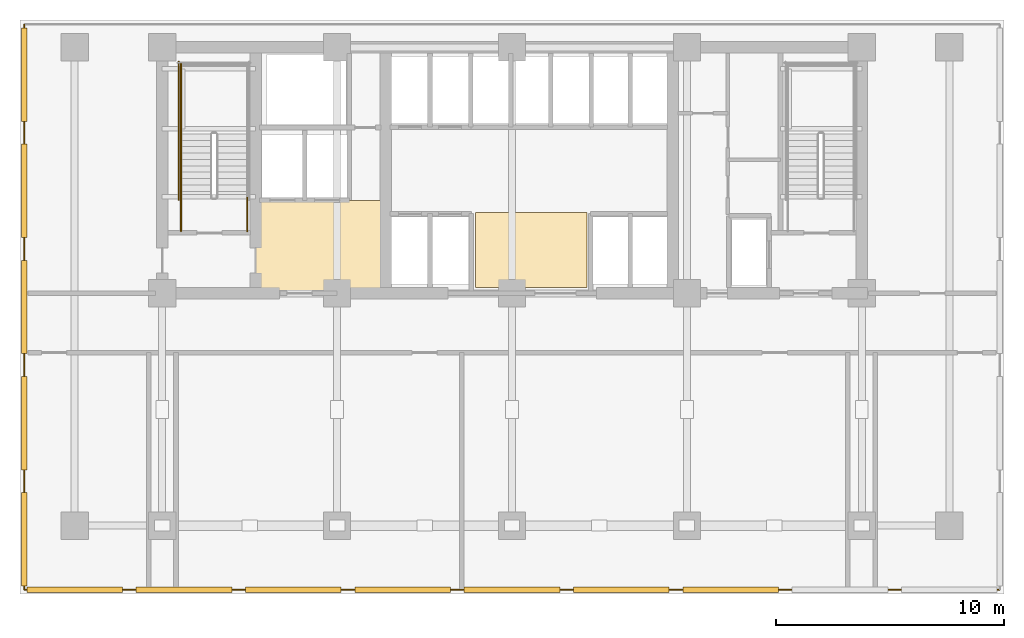
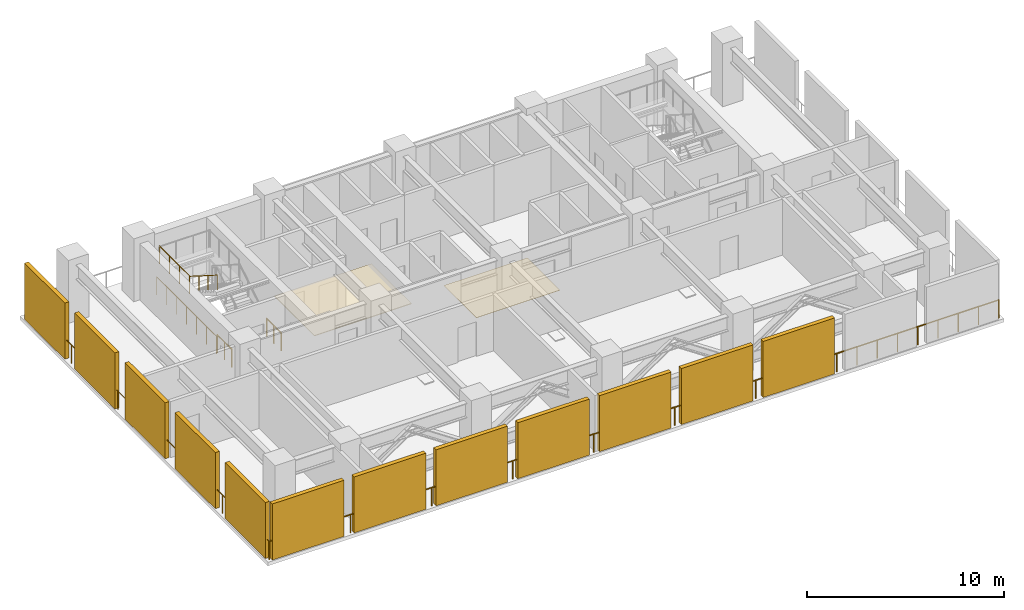
# One storey, part 4 of 7: 12 shading devices, 7 railings, 2 coverings.
"""IFC4 building model written with IfcOpenShell, lengths in metres."""

from ifc_helpers import new_model, si_unit, direction, frame, origin, origin_2d, place, context, subcontext, project, spatial, polyline, rectangle, circle, outline, extrude, material, layer, layer_set, type_object, element, save


model = new_model("IFC4")

# Units and contexts
model_context = context("Model", 3, precision=1e-05, world=origin(), true_north=direction((0.0, 1.0)))
body_context = subcontext(model_context, "Body", "Model", "MODEL_VIEW")
ifc_project = project(units=[si_unit("LENGTHUNIT", "METRE"), si_unit("AREAUNIT", "SQUARE_METRE"), si_unit("VOLUMEUNIT", "CUBIC_METRE"), si_unit("PLANEANGLEUNIT", "RADIAN"), si_unit("MASSUNIT", "GRAM", prefix="KILO")], contexts=[model_context])

# Site, building, storey
site_placement = place(None, origin())
site = spatial("IfcSite", under=ifc_project, at=site_placement, CompositionType="ELEMENT")
building_placement = place(site_placement, origin())
building = spatial("IfcBuilding", under=site, at=building_placement, Name="Yelkora Congress Tower", CompositionType="ELEMENT")
storey_placement = place(building_placement, frame((0.0, 0.0, 81.89990234375)))
storey = spatial("IfcBuildingStorey", under=building, at=storey_placement, Name="L21", CompositionType="ELEMENT", Elevation=81.89990234375)

# Coverings
ifc_material_1 = material(Name="Perforated mineral-fibre acoustic ceiling", Category="gypsum")
ifc_layer_1 = layer(ifc_material_1, 0.0400390625)
ifc_layer_set_1 = layer_set([ifc_layer_1], Name="Perforated mineral-fibre acoustic ceiling")
covering_type_1 = type_object("IfcCoveringType", Name="COV-CEIL-ACOUSTIC-40", PredefinedType="CEILING", material=ifc_layer_set_1)
covering_1_placement = place(storey_placement, frame((0.0, 0.0, 2.400146484375)))
element("IfcCovering", 1, at=covering_1_placement, inside=storey, type_object=covering_type_1, Name="L21 Firefighting Lobby Acoustic Ceiling", PredefinedType="CEILING", context=body_context, shape_type="SweptSolid", body=[
    extrude(outline(polyline([(27.14990234375, 35.39990234375), (32.85009765625, 35.39990234375), (32.85009765625, 39.47998046875), (27.14990234375, 39.47998046875), (27.14990234375, 35.39990234375)])), origin(), (0.0, 0.0, 1.0), 0.0400390625),
])
ifc_material_2 = material(Name="Polished Anatolian grey granite tile", Category="masonry")
ifc_layer_2 = layer(ifc_material_2, 0.02001953125)
ifc_layer_set_2 = layer_set([ifc_layer_2], Name="Polished Anatolian grey granite tile")
covering_type_2 = type_object("IfcCoveringType", Name="COV-FLOOR-GRANITE-20", PredefinedType="FLOORING", material=ifc_layer_set_2)
covering_2_placement = place(storey_placement, origin())
element("IfcCovering", 2, at=covering_2_placement, inside=storey, type_object=covering_type_2, Name="L21 Lift Lobby Granite Flooring", PredefinedType="FLOORING", context=body_context, shape_type="SweptSolid", body=[
    extrude(outline(polyline([(36.800048828125, 35.64990234375), (41.699951171875, 35.64990234375), (41.699951171875, 38.949951171875), (36.800048828125, 38.949951171875), (36.800048828125, 35.64990234375)])), origin(), (0.0, 0.0, 1.0), 0.02001953125),
])

# Railings
ifc_material_3 = material(Name="Stainless steel 316L and laminated glass infill", Category="steel")
ifc_layer_3 = layer(ifc_material_3, 0.080078125)
ifc_layer_set_3 = layer_set([ifc_layer_3], Name="Stainless steel 316L and laminated glass infill")
railing_type_1 = type_object("IfcRailingType", Name="RAIL-EXT-GUARD-1150", PredefinedType="GUARDRAIL", material=ifc_layer_set_3)
railing_1_placement = place(storey_placement, frame((16.97998046875, 22.39990234375, 0.0)))
element("IfcRailing", 3, at=railing_1_placement, inside=storey, type_object=railing_type_1, Name="L21 Wind-Floor Perimeter Guardrail W", PredefinedType="GUARDRAIL", context=body_context, shape_type="SweptSolid", body=[
    extrude(circle(Radius=0.02392578125, at=origin_2d()), frame((0.0, 0.0, 1.1259765625), z_axis=(0.0, 1.0, 0.0), x_axis=(-1.0, 0.0, 0.0)), (0.0, 0.0, 1.0), 24.800048828125),
    extrude(circle(Radius=0.02099609375, at=origin_2d()), origin(), (0.0, 0.0, 1.0), 1.101806640625),
    extrude(circle(Radius=0.02099609375, at=origin_2d()), frame((0.0, 1.180908203125, 0.0)), (0.0, 0.0, 1.0), 1.101806640625),
    extrude(circle(Radius=0.02099609375, at=origin_2d()), frame((0.0, 2.36181640625, 0.0)), (0.0, 0.0, 1.0), 1.101806640625),
    extrude(circle(Radius=0.02099609375, at=origin_2d()), frame((0.0, 3.54296875, 0.0)), (0.0, 0.0, 1.0), 1.101806640625),
    extrude(circle(Radius=0.02099609375, at=origin_2d()), frame((0.0, 4.723876953125, 0.0)), (0.0, 0.0, 1.0), 1.101806640625),
    extrude(circle(Radius=0.02099609375, at=origin_2d()), frame((0.0, 5.90478515625, 0.0)), (0.0, 0.0, 1.0), 1.101806640625),
    extrude(circle(Radius=0.02099609375, at=origin_2d()), frame((0.0, 7.085693359375, 0.0)), (0.0, 0.0, 1.0), 1.101806640625),
    extrude(circle(Radius=0.02099609375, at=origin_2d()), frame((0.0, 8.2666015625, 0.0)), (0.0, 0.0, 1.0), 1.101806640625),
    extrude(circle(Radius=0.02099609375, at=origin_2d()), frame((0.0, 9.44775390625, 0.0)), (0.0, 0.0, 1.0), 1.101806640625),
    extrude(circle(Radius=0.02099609375, at=origin_2d()), frame((0.0, 10.628662109375, 0.0)), (0.0, 0.0, 1.0), 1.101806640625),
    extrude(circle(Radius=0.02099609375, at=origin_2d()), frame((0.0, 11.8095703125, 0.0)), (0.0, 0.0, 1.0), 1.101806640625),
    extrude(circle(Radius=0.02099609375, at=origin_2d()), frame((0.0, 12.990478515625, 0.0)), (0.0, 0.0, 1.0), 1.101806640625),
    extrude(circle(Radius=0.02099609375, at=origin_2d()), frame((0.0, 14.17138671875, 0.0)), (0.0, 0.0, 1.0), 1.101806640625),
    extrude(circle(Radius=0.02099609375, at=origin_2d()), frame((0.0, 15.352294921875, 0.0)), (0.0, 0.0, 1.0), 1.101806640625),
    extrude(circle(Radius=0.02099609375, at=origin_2d()), frame((0.0, 16.533447265625, 0.0)), (0.0, 0.0, 1.0), 1.101806640625),
    extrude(circle(Radius=0.02099609375, at=origin_2d()), frame((0.0, 17.71435546875, 0.0)), (0.0, 0.0, 1.0), 1.101806640625),
    extrude(circle(Radius=0.02099609375, at=origin_2d()), frame((0.0, 18.895263671875, 0.0)), (0.0, 0.0, 1.0), 1.101806640625),
    extrude(circle(Radius=0.02099609375, at=origin_2d()), frame((0.0, 20.076171875, 0.0)), (0.0, 0.0, 1.0), 1.101806640625),
    extrude(circle(Radius=0.02099609375, at=origin_2d()), frame((0.0, 21.257080078125, 0.0)), (0.0, 0.0, 1.0), 1.101806640625),
    extrude(circle(Radius=0.02099609375, at=origin_2d()), frame((0.0, 22.438232421875, 0.0)), (0.0, 0.0, 1.0), 1.101806640625),
    extrude(circle(Radius=0.02099609375, at=origin_2d()), frame((0.0, 23.619140625, 0.0)), (0.0, 0.0, 1.0), 1.101806640625),
    extrude(circle(Radius=0.02099609375, at=origin_2d()), frame((0.0, 24.800048828125, 0.0)), (0.0, 0.0, 1.0), 1.101806640625),
])
railing_2_placement = place(storey_placement, frame((17.0, 22.3798828125, 0.0)))
element("IfcRailing", 4, at=railing_2_placement, inside=storey, type_object=railing_type_1, Name="L21 Wind-Floor South Guardrail", PredefinedType="GUARDRAIL", context=body_context, shape_type="SweptSolid", body=[
    extrude(circle(Radius=0.02392578125, at=origin_2d()), frame((0.0, 0.0, 1.1259765625), z_axis=(1.0, 0.0, 0.0), x_axis=(0.0, 1.0, 0.0)), (0.0, 0.0, 1.0), 42.800048828125),
    extrude(circle(Radius=0.02099609375, at=origin_2d()), origin(), (0.0, 0.0, 1.0), 1.101806640625),
    extrude(circle(Radius=0.02099609375, at=origin_2d()), frame((1.18896484375, 0.0, 0.0)), (0.0, 0.0, 1.0), 1.101806640625),
    extrude(circle(Radius=0.02099609375, at=origin_2d()), frame((2.377685546875, 0.0, 0.0)), (0.0, 0.0, 1.0), 1.101806640625),
    extrude(circle(Radius=0.02099609375, at=origin_2d()), frame((3.566650390625, 0.0, 0.0)), (0.0, 0.0, 1.0), 1.101806640625),
    extrude(circle(Radius=0.02099609375, at=origin_2d()), frame((4.755615234375, 0.0, 0.0)), (0.0, 0.0, 1.0), 1.101806640625),
    extrude(circle(Radius=0.02099609375, at=origin_2d()), frame((5.9443359375, 0.0, 0.0)), (0.0, 0.0, 1.0), 1.101806640625),
    extrude(circle(Radius=0.02099609375, at=origin_2d()), frame((7.13330078125, 0.0, 0.0)), (0.0, 0.0, 1.0), 1.101806640625),
    extrude(circle(Radius=0.02099609375, at=origin_2d()), frame((8.322265625, 0.0, 0.0)), (0.0, 0.0, 1.0), 1.101806640625),
    extrude(circle(Radius=0.02099609375, at=origin_2d()), frame((9.51123046875, 0.0, 0.0)), (0.0, 0.0, 1.0), 1.101806640625),
    extrude(circle(Radius=0.02099609375, at=origin_2d()), frame((10.699951171875, 0.0, 0.0)), (0.0, 0.0, 1.0), 1.101806640625),
    extrude(circle(Radius=0.02099609375, at=origin_2d()), frame((11.888916015625, 0.0, 0.0)), (0.0, 0.0, 1.0), 1.101806640625),
    extrude(circle(Radius=0.02099609375, at=origin_2d()), frame((13.077880859375, 0.0, 0.0)), (0.0, 0.0, 1.0), 1.101806640625),
    extrude(circle(Radius=0.02099609375, at=origin_2d()), frame((14.2666015625, 0.0, 0.0)), (0.0, 0.0, 1.0), 1.101806640625),
    extrude(circle(Radius=0.02099609375, at=origin_2d()), frame((15.45556640625, 0.0, 0.0)), (0.0, 0.0, 1.0), 1.101806640625),
    extrude(circle(Radius=0.02099609375, at=origin_2d()), frame((16.64453125, 0.0, 0.0)), (0.0, 0.0, 1.0), 1.101806640625),
    extrude(circle(Radius=0.02099609375, at=origin_2d()), frame((17.833251953125, 0.0, 0.0)), (0.0, 0.0, 1.0), 1.101806640625),
    extrude(circle(Radius=0.02099609375, at=origin_2d()), frame((19.022216796875, 0.0, 0.0)), (0.0, 0.0, 1.0), 1.101806640625),
    extrude(circle(Radius=0.02099609375, at=origin_2d()), frame((20.211181640625, 0.0, 0.0)), (0.0, 0.0, 1.0), 1.101806640625),
    extrude(circle(Radius=0.02099609375, at=origin_2d()), frame((21.39990234375, 0.0, 0.0)), (0.0, 0.0, 1.0), 1.101806640625),
    extrude(circle(Radius=0.02099609375, at=origin_2d()), frame((22.5888671875, 0.0, 0.0)), (0.0, 0.0, 1.0), 1.101806640625),
    extrude(circle(Radius=0.02099609375, at=origin_2d()), frame((23.77783203125, 0.0, 0.0)), (0.0, 0.0, 1.0), 1.101806640625),
    extrude(circle(Radius=0.02099609375, at=origin_2d()), frame((24.966796875, 0.0, 0.0)), (0.0, 0.0, 1.0), 1.101806640625),
    extrude(circle(Radius=0.02099609375, at=origin_2d()), frame((26.155517578125, 0.0, 0.0)), (0.0, 0.0, 1.0), 1.101806640625),
    extrude(circle(Radius=0.02099609375, at=origin_2d()), frame((27.344482421875, 0.0, 0.0)), (0.0, 0.0, 1.0), 1.101806640625),
    extrude(circle(Radius=0.02099609375, at=origin_2d()), frame((28.533447265625, 0.0, 0.0)), (0.0, 0.0, 1.0), 1.101806640625),
    extrude(circle(Radius=0.02099609375, at=origin_2d()), frame((29.72216796875, 0.0, 0.0)), (0.0, 0.0, 1.0), 1.101806640625),
    extrude(circle(Radius=0.02099609375, at=origin_2d()), frame((30.9111328125, 0.0, 0.0)), (0.0, 0.0, 1.0), 1.101806640625),
    extrude(circle(Radius=0.02099609375, at=origin_2d()), frame((32.10009765625, 0.0, 0.0)), (0.0, 0.0, 1.0), 1.101806640625),
    extrude(circle(Radius=0.02099609375, at=origin_2d()), frame((33.288818359375, 0.0, 0.0)), (0.0, 0.0, 1.0), 1.101806640625),
    extrude(circle(Radius=0.02099609375, at=origin_2d()), frame((34.477783203125, 0.0, 0.0)), (0.0, 0.0, 1.0), 1.101806640625),
    extrude(circle(Radius=0.02099609375, at=origin_2d()), frame((35.666748046875, 0.0, 0.0)), (0.0, 0.0, 1.0), 1.101806640625),
    extrude(circle(Radius=0.02099609375, at=origin_2d()), frame((36.855712890625, 0.0, 0.0)), (0.0, 0.0, 1.0), 1.101806640625),
    extrude(circle(Radius=0.02099609375, at=origin_2d()), frame((38.04443359375, 0.0, 0.0)), (0.0, 0.0, 1.0), 1.101806640625),
    extrude(circle(Radius=0.02099609375, at=origin_2d()), frame((39.2333984375, 0.0, 0.0)), (0.0, 0.0, 1.0), 1.101806640625),
    extrude(circle(Radius=0.02099609375, at=origin_2d()), frame((40.42236328125, 0.0, 0.0)), (0.0, 0.0, 1.0), 1.101806640625),
    extrude(circle(Radius=0.02099609375, at=origin_2d()), frame((41.611083984375, 0.0, 0.0)), (0.0, 0.0, 1.0), 1.101806640625),
    extrude(circle(Radius=0.02099609375, at=origin_2d()), frame((42.800048828125, 0.0, 0.0)), (0.0, 0.0, 1.0), 1.101806640625),
])
ifc_material_4 = material(Name="Painted galvanised steel stair well guard with vertical infill", Category="steel")
ifc_layer_4 = layer(ifc_material_4, 0.06005859375)
ifc_layer_set_4 = layer_set([ifc_layer_4], Name="Painted galvanised steel stair well guard with vertical infill")
railing_type_2 = type_object("IfcRailingType", Name="RAIL-STAIR-GUARD-1120", PredefinedType="GUARDRAIL", material=ifc_layer_set_4)
railing_3_placement = place(storey_placement, frame((23.8701171875, 42.39990234375, 1.9501953125)))
element("IfcRailing", 5, at=railing_3_placement, inside=storey, type_object=railing_type_2, Name="ST-01 L21 Stair Well Guardrail 4", PredefinedType="GUARDRAIL", context=body_context, shape_type="SweptSolid", body=[
    extrude(circle(Radius=0.02392578125, at=origin_2d()), frame((0.0, 0.0, 1.09619140625), z_axis=(0.0, 1.0, 0.0), x_axis=(-1.0, 0.0, 0.0)), (0.0, 0.0, 1.0), 3.070068359375),
    extrude(circle(Radius=0.02099609375, at=origin_2d()), origin(), (0.0, 0.0, 1.0), 1.072021484375),
    extrude(circle(Radius=0.02099609375, at=origin_2d()), frame((0.0, 1.0234375, 0.0)), (0.0, 0.0, 1.0), 1.072021484375),
    extrude(circle(Radius=0.02099609375, at=origin_2d()), frame((0.0, 2.046630859375, 0.0)), (0.0, 0.0, 1.0), 1.072021484375),
    extrude(circle(Radius=0.02099609375, at=origin_2d()), frame((0.0, 3.070068359375, 0.0)), (0.0, 0.0, 1.0), 1.072021484375),
])
for number, where, name in (
    (6, (26.77001953125, 38.1201171875, 0.0), "ST-01 L21 Stair Well Guardrail 8"),
    (7, (23.8701171875, 38.1201171875, 0.0), "ST-01 L21 Stair Well Guardrail 9"),
):
    element("IfcRailing", number, at=place(storey_placement, frame(where)), inside=storey, type_object=railing_type_2, Name=name, PredefinedType="GUARDRAIL", context=body_context, shape_type="SweptSolid", body=[
        extrude(circle(Radius=0.02392578125, at=origin_2d()), frame((0.0, 0.0, 1.09619140625), z_axis=(0.0, 1.0, 0.0), x_axis=(-1.0, 0.0, 0.0)), (0.0, 0.0, 1.0), 1.47998046875),
        extrude(circle(Radius=0.02099609375, at=origin_2d()), origin(), (0.0, 0.0, 1.0), 1.072021484375),
        extrude(circle(Radius=0.02099609375, at=origin_2d()), frame((0.0, 0.739990234375, 0.0)), (0.0, 0.0, 1.0), 1.072021484375),
        extrude(circle(Radius=0.02099609375, at=origin_2d()), frame((0.0, 1.47998046875, 0.0)), (0.0, 0.0, 1.0), 1.072021484375),
    ])
railing_4_placement = place(storey_placement, frame((23.77001953125, 39.5, 0.0)))
element("IfcRailing", 8, at=railing_4_placement, inside=storey, type_object=railing_type_2, Name="ST-01 L21 Stair Well Guardrail 11", PredefinedType="GUARDRAIL", context=body_context, shape_type="SweptSolid", body=[
    extrude(circle(Radius=0.02392578125, at=origin_2d()), frame((0.0, 0.0, 1.09619140625), z_axis=(0.0, 1.0, 0.0), x_axis=(-1.0, 0.0, 0.0)), (0.0, 0.0, 1.0), 6.070068359375),
    extrude(circle(Radius=0.02099609375, at=origin_2d()), origin(), (0.0, 0.0, 1.0), 1.072021484375),
    extrude(circle(Radius=0.02099609375, at=origin_2d()), frame((0.0, 1.01171875, 0.0)), (0.0, 0.0, 1.0), 1.072021484375),
    extrude(circle(Radius=0.02099609375, at=origin_2d()), frame((0.0, 2.0234375, 0.0)), (0.0, 0.0, 1.0), 1.072021484375),
    extrude(circle(Radius=0.02099609375, at=origin_2d()), frame((0.0, 3.03515625, 0.0)), (0.0, 0.0, 1.0), 1.072021484375),
    extrude(circle(Radius=0.02099609375, at=origin_2d()), frame((0.0, 4.046630859375, 0.0)), (0.0, 0.0, 1.0), 1.072021484375),
    extrude(circle(Radius=0.02099609375, at=origin_2d()), frame((0.0, 5.058349609375, 0.0)), (0.0, 0.0, 1.0), 1.072021484375),
    extrude(circle(Radius=0.02099609375, at=origin_2d()), frame((0.0, 6.070068359375, 0.0)), (0.0, 0.0, 1.0), 1.072021484375),
])
ifc_material_5 = material(Name="Brushed stainless steel tubular handrail", Category="steel")
ifc_layer_5 = layer(ifc_material_5, 0.050048828125)
ifc_layer_set_5 = layer_set([ifc_layer_5], Name="Brushed stainless steel tubular handrail")
railing_type_3 = type_object("IfcRailingType", Name="RAIL-STAIR-HAND-920", PredefinedType="HANDRAIL", material=ifc_layer_set_5)
railing_5_placement = place(storey_placement, frame((23.8701171875, 42.39990234375, 2.12744140625)))
element("IfcRailing", 9, at=railing_5_placement, inside=storey, type_object=railing_type_3, Name="ST-01 L21 Pitch Handrail 2", PredefinedType="HANDRAIL", context=body_context, shape_type="SweptSolid", body=[
    extrude(circle(Radius=0.02392578125, at=origin_2d()), frame((0.0, 0.0, 0.89599609375), z_axis=(0.0, -0.844887892834, 0.53494340686), x_axis=(1.0, 0.0, 0.0)), (0.0, 0.0, 1.0), 3.313720703125),
    extrude(circle(Radius=0.02099609375, at=origin_2d()), origin(), (0.0, 0.0, 1.0), 0.871826171875),
    extrude(circle(Radius=0.02099609375, at=origin_2d()), frame((0.0, -0.933349609375, 0.5908203125)), (0.0, 0.0, 1.0), 0.871826171875),
    extrude(circle(Radius=0.02099609375, at=origin_2d()), frame((0.0, -1.866455078125, 1.181884765625)), (0.0, 0.0, 1.0), 0.871826171875),
    extrude(circle(Radius=0.02099609375, at=origin_2d()), frame((0.0, -2.7998046875, 1.772705078125)), (0.0, 0.0, 1.0), 0.871826171875),
])

# Shading devices
ifc_material_6 = material(Name="Perforated anodised aluminium louvre", Category="aluminium")
ifc_layer_6 = layer(ifc_material_6, 3.39990234375)
ifc_layer_set_6 = layer_set([ifc_layer_6], Name="Perforated anodised aluminium louvre")
shading_device_type = type_object("IfcShadingDeviceType", Name="SHD-LOUVRE-WIND", PredefinedType="JALOUSIE", material=ifc_layer_set_6)
for number, where, z_axis, x_axis, name in (
    (10, (16.97998046875, 24.60009765625, 0.0), (0.0, 0.0, 1.0), (1.0, 0.0, 0.0), "L21 Acoustic Wind-Floor Louvre Screen W1"),
    (11, (16.97998046875, 29.699951171875, 0.0), (0.0, 0.0, 1.0), (1.0, 0.0, 0.0), "L21 Acoustic Wind-Floor Louvre Screen W2"),
    (12, (16.97998046875, 34.800048828125, 0.0), (0.0, 0.0, 1.0), (1.0, 0.0, 0.0), "L21 Acoustic Wind-Floor Louvre Screen W3"),
    (13, (16.97998046875, 39.89990234375, 0.0), (0.0, 0.0, 1.0), (1.0, 0.0, 0.0), "L21 Acoustic Wind-Floor Louvre Screen W4"),
    (14, (16.97998046875, 45.0, 0.0), (0.0, 0.0, 1.0), (1.0, 0.0, 0.0), "L21 Acoustic Wind-Floor Louvre Screen W5"),
):
    element("IfcShadingDevice", number, at=place(storey_placement, frame(where, z_axis=z_axis, x_axis=x_axis)), inside=storey, type_object=shading_device_type, Name=name, PredefinedType="JALOUSIE", context=body_context, shape_type="SweptSolid", body=[
        extrude(rectangle(XDim=0.239990234375, YDim=4.10009765625, at=origin_2d()), origin(), (0.0, 0.0, 1.0), 3.47998046875),
    ])
for number, where, z_axis, x_axis, name in (
    (15, (19.199951171875, 22.3798828125, 0.0), (0.0, 0.0, 1.0), (1.0, 0.0, 0.0), "L21 South Blow-Through Wind Louvre 1"),
    (16, (24.0, 22.3798828125, 0.0), (0.0, 0.0, 1.0), (1.0, 0.0, 0.0), "L21 South Blow-Through Wind Louvre 2"),
    (17, (28.800048828125, 22.3798828125, 0.0), (0.0, 0.0, 1.0), (1.0, 0.0, 0.0), "L21 South Blow-Through Wind Louvre 3"),
    (18, (33.60009765625, 22.3798828125, 0.0), (0.0, 0.0, 1.0), (1.0, 0.0, 0.0), "L21 South Blow-Through Wind Louvre 4"),
    (19, (38.39990234375, 22.3798828125, 0.0), (0.0, 0.0, 1.0), (1.0, 0.0, 0.0), "L21 South Blow-Through Wind Louvre 5"),
    (20, (43.199951171875, 22.3798828125, 0.0), (0.0, 0.0, 1.0), (1.0, 0.0, 0.0), "L21 South Blow-Through Wind Louvre 6"),
    (21, (48.0, 22.3798828125, 0.0), (0.0, 0.0, 1.0), (1.0, 0.0, 0.0), "L21 South Blow-Through Wind Louvre 7"),
):
    element("IfcShadingDevice", number, at=place(storey_placement, frame(where, z_axis=z_axis, x_axis=x_axis)), inside=storey, type_object=shading_device_type, Name=name, PredefinedType="JALOUSIE", context=body_context, shape_type="SweptSolid", body=[
        extrude(rectangle(XDim=4.199951171875, YDim=0.239990234375, at=origin_2d()), origin(), (0.0, 0.0, 1.0), 3.47998046875),
    ])

save(model, "model.ifc")
